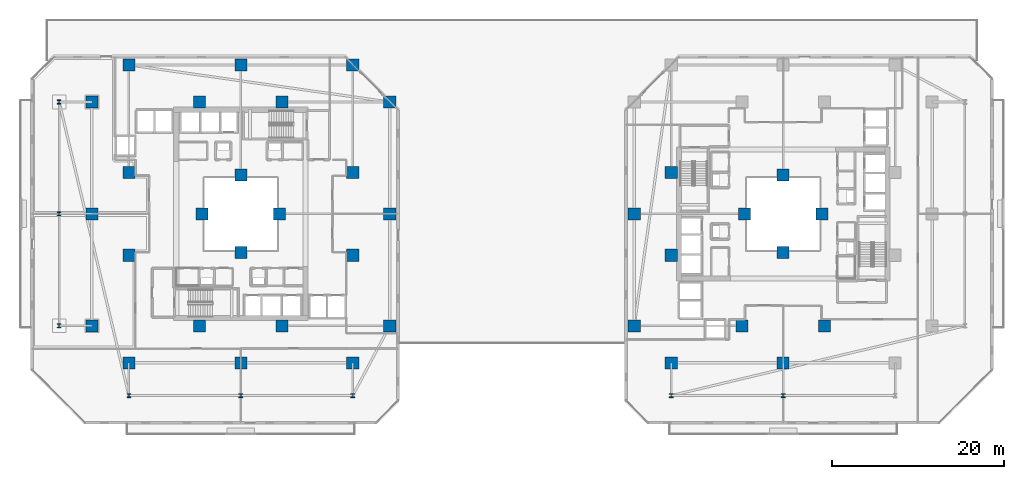
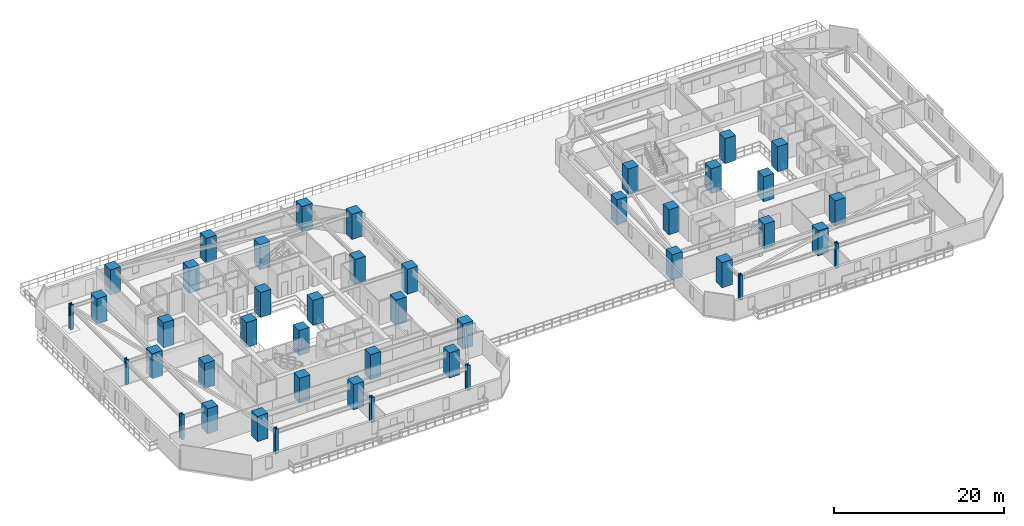
# One storey, part 1 of 34: 44 columns.
"""IFC4 building model written with IfcOpenShell, lengths in metres."""

from ifc_helpers import new_model, si_unit, direction, frame, origin, origin_2d, place, context, subcontext, project, spatial, rectangle, i_section, extrude, material, material_profile, profile_set, type_object, element, save


model = new_model("IFC4")

# Units and contexts
model_context = context("Model", 3, precision=1e-05, world=origin(), true_north=direction((0.0, 1.0)))
body_context = subcontext(model_context, "Body", "Model", "MODEL_VIEW")
ifc_project = project(units=[si_unit("LENGTHUNIT", "METRE"), si_unit("AREAUNIT", "SQUARE_METRE"), si_unit("VOLUMEUNIT", "CUBIC_METRE"), si_unit("PLANEANGLEUNIT", "RADIAN"), si_unit("MASSUNIT", "GRAM", prefix="KILO")], contexts=[model_context])

# Site, building, storey
site_placement = place(None, origin())
site = spatial("IfcSite", under=ifc_project, at=site_placement, CompositionType="ELEMENT")
building_placement = place(site_placement, origin())
building = spatial("IfcBuilding", under=site, at=building_placement, Name="Thornwick Lancets Civic Towers", CompositionType="ELEMENT")
storey_placement = place(building_placement, frame((0.0, 0.0, 27.89990234375)))
storey = spatial("IfcBuildingStorey", under=building, at=storey_placement, Name="L06", CompositionType="ELEMENT", Elevation=27.89990234375)

# Columns
ifc_material_1 = material(Name="Concrete C60/75", Category="concrete")
ifc_material_profile_1 = material_profile(ifc_material_1, rectangle(XDim=1.39990234375, YDim=1.39990234375, at=origin_2d()), Name="RC 1400x1400")
ifc_profile_set_1 = profile_set([ifc_material_profile_1], Name="Concrete C60/75")
column_type_1 = type_object("IfcColumnType", Name="COL_RC_1400", PredefinedType="COLUMN", material=ifc_profile_set_1)
for number, where, z_axis, x_axis, name in (
    (1, (12.5, 9.699951171875, 0.0), (0.0, 0.0, 1.0), (1.0, 0.0, 0.0), "L06 Spine Mega-Column A01"),
    (2, (25.5, 9.699951171875, 0.0), (0.0, 0.0, 1.0), (1.0, 0.0, 0.0), "L06 Spine Mega-Column A02"),
    (3, (38.5, 9.699951171875, 0.0), (0.0, 0.0, 1.0), (1.0, 0.0, 0.0), "L06 Spine Mega-Column A03"),
    (4, (42.800048828125, 14.0, 0.0), (0.0, 0.0, 1.0), (1.0, 0.0, 0.0), "L06 Spine Mega-Column A04"),
    (5, (42.800048828125, 27.0, 0.0), (0.0, 0.0, 1.0), (1.0, 0.0, 0.0), "L06 Spine Mega-Column A05"),
    (6, (42.800048828125, 40.0, 0.0), (0.0, 0.0, 1.0), (1.0, 0.0, 0.0), "L06 Spine Mega-Column A06"),
    (7, (12.5, 44.300048828125, 0.0), (0.0, 0.0, 1.0), (1.0, 0.0, 0.0), "L06 Spine Mega-Column A07"),
    (8, (25.5, 44.300048828125, 0.0), (0.0, 0.0, 1.0), (1.0, 0.0, 0.0), "L06 Spine Mega-Column A08"),
    (9, (38.5, 44.300048828125, 0.0), (0.0, 0.0, 1.0), (1.0, 0.0, 0.0), "L06 Spine Mega-Column A09"),
    (10, (8.199951171875, 14.0, 0.0), (0.0, 0.0, 1.0), (1.0, 0.0, 0.0), "L06 Spine Mega-Column A10"),
    (11, (8.199951171875, 27.0, 0.0), (0.0, 0.0, 1.0), (1.0, 0.0, 0.0), "L06 Spine Mega-Column A11"),
    (12, (8.199951171875, 40.0, 0.0), (0.0, 0.0, 1.0), (1.0, 0.0, 0.0), "L06 Spine Mega-Column A12"),
    (13, (12.5, 22.199951171875, 0.0), (0.0, 0.0, 1.0), (1.0, 0.0, 0.0), "L06 Spine Mega-Column A13"),
    (14, (38.5, 22.199951171875, 0.0), (0.0, 0.0, 1.0), (1.0, 0.0, 0.0), "L06 Spine Mega-Column A14"),
    (15, (12.5, 31.800048828125, 0.0), (0.0, 0.0, 1.0), (1.0, 0.0, 0.0), "L06 Spine Mega-Column A15"),
    (16, (38.5, 31.800048828125, 0.0), (0.0, 0.0, 1.0), (1.0, 0.0, 0.0), "L06 Spine Mega-Column A16"),
    (17, (20.699951171875, 14.0, 0.0), (0.0, 0.0, 1.0), (1.0, 0.0, 0.0), "L06 Spine Mega-Column A17"),
    (18, (30.300048828125, 14.0, 0.0), (0.0, 0.0, 1.0), (1.0, 0.0, 0.0), "L06 Spine Mega-Column A18"),
    (19, (20.699951171875, 40.0, 0.0), (0.0, 0.0, 1.0), (1.0, 0.0, 0.0), "L06 Spine Mega-Column A19"),
    (20, (30.300048828125, 40.0, 0.0), (0.0, 0.0, 1.0), (1.0, 0.0, 0.0), "L06 Spine Mega-Column A20"),
    (21, (25.5, 22.5, 0.0), (0.0, 0.0, 1.0), (1.0, 0.0, 0.0), "L06 Spine Mega-Column A21"),
    (22, (25.5, 31.5, 0.0), (0.0, 0.0, 1.0), (1.0, 0.0, 0.0), "L06 Spine Mega-Column A22"),
    (23, (21.0, 27.0, 0.0), (0.0, 0.0, 1.0), (1.0, 0.0, 0.0), "L06 Spine Mega-Column A23"),
    (24, (30.0, 27.0, 0.0), (0.0, 0.0, 1.0), (1.0, 0.0, 0.0), "L06 Spine Mega-Column A24"),
    (25, (71.199951171875, 14.0, 0.0), (0.0, 0.0, 1.0), (1.0, 0.0, 0.0), "L06 Spine Mega-Column B07"),
    (26, (71.199951171875, 27.0, 0.0), (0.0, 0.0, 1.0), (1.0, 0.0, 0.0), "L06 Spine Mega-Column B08"),
    (27, (88.5, 9.699951171875, 0.0), (0.0, 0.0, 1.0), (1.0, 0.0, 0.0), "L06 Spine Mega-Column B11"),
    (28, (75.5, 9.699951171875, 0.0), (0.0, 0.0, 1.0), (1.0, 0.0, 0.0), "L06 Spine Mega-Column B12"),
    (29, (93.300048828125, 14.0, 0.0), (0.0, 0.0, 1.0), (1.0, 0.0, 0.0), "L06 Spine Mega-Column B13"),
    (30, (83.699951171875, 14.0, 0.0), (0.0, 0.0, 1.0), (1.0, 0.0, 0.0), "L06 Spine Mega-Column B15"),
    (31, (75.5, 22.199951171875, 0.0), (0.0, 0.0, 1.0), (1.0, 0.0, 0.0), "L06 Spine Mega-Column B19"),
    (32, (75.5, 31.800048828125, 0.0), (0.0, 0.0, 1.0), (1.0, 0.0, 0.0), "L06 Spine Mega-Column B20"),
    (33, (93.0, 27.0, 0.0), (0.0, 0.0, 1.0), (1.0, 0.0, 0.0), "L06 Spine Mega-Column B21"),
    (34, (84.0, 27.0, 0.0), (0.0, 0.0, 1.0), (1.0, 0.0, 0.0), "L06 Spine Mega-Column B22"),
    (35, (88.5, 22.5, 0.0), (0.0, 0.0, 1.0), (1.0, 0.0, 0.0), "L06 Spine Mega-Column B23"),
    (36, (88.5, 31.5, 0.0), (0.0, 0.0, 1.0), (1.0, 0.0, 0.0), "L06 Spine Mega-Column B24"),
):
    element("IfcColumn", number, at=place(storey_placement, frame(where, z_axis=z_axis, x_axis=x_axis)), inside=storey, type_object=column_type_1, Name=name, PredefinedType="COLUMN", context=body_context, shape_type="SweptSolid", body=[
        extrude(rectangle(XDim=1.39990234375, YDim=1.39990234375, at=origin_2d()), origin(), (0.0, 0.0, 1.0), 3.60009765625),
    ])
ifc_material_2 = material(Name="Steel S460M", Category="steel")
ifc_material_profile_2 = material_profile(ifc_material_2, i_section(OverallWidth=0.424072265625, OverallDepth=0.474609375, WebThickness=0.047607421875, FlangeThickness=0.076904296875, FilletRadius=0.01513671875, at=origin_2d()), Name="UKC 356x406x634")
ifc_profile_set_2 = profile_set([ifc_material_profile_2], Name="Steel S460M")
column_type_2 = type_object("IfcColumnType", Name="COL_UKC_634", PredefinedType="COLUMN", material=ifc_profile_set_2)
for number, where, z_axis, x_axis, name in (
    (37, (12.5, 5.89990234375, 0.0), (0.0, 0.0, 1.0), (1.0, 0.0, 0.0), "L06 Block Perimeter Column A01"),
    (38, (25.5, 5.89990234375, 0.0), (0.0, 0.0, 1.0), (1.0, 0.0, 0.0), "L06 Block Perimeter Column A02"),
    (39, (38.5, 5.89990234375, 0.0), (0.0, 0.0, 1.0), (1.0, 0.0, 0.0), "L06 Block Perimeter Column A03"),
    (40, (4.39990234375, 14.0, 0.0), (0.0, 0.0, 1.0), (1.0, 0.0, 0.0), "L06 Block Perimeter Column A10"),
    (41, (4.39990234375, 27.0, 0.0), (0.0, 0.0, 1.0), (1.0, 0.0, 0.0), "L06 Block Perimeter Column A11"),
    (42, (4.39990234375, 40.0, 0.0), (0.0, 0.0, 1.0), (1.0, 0.0, 0.0), "L06 Block Perimeter Column A12"),
    (43, (88.5, 5.89990234375, 0.0), (0.0, 0.0, 1.0), (1.0, 0.0, 0.0), "L06 Block Perimeter Column B11"),
    (44, (75.5, 5.89990234375, 0.0), (0.0, 0.0, 1.0), (1.0, 0.0, 0.0), "L06 Block Perimeter Column B12"),
):
    element("IfcColumn", number, at=place(storey_placement, frame(where, z_axis=z_axis, x_axis=x_axis)), inside=storey, type_object=column_type_2, Name=name, PredefinedType="COLUMN", context=body_context, shape_type="SweptSolid", body=[
        extrude(i_section(OverallWidth=0.424072265625, OverallDepth=0.474609375, WebThickness=0.047607421875, FlangeThickness=0.076904296875, FilletRadius=0.01513671875, at=origin_2d()), origin(), (0.0, 0.0, 1.0), 3.60009765625),
    ])

save(model, "model.ifc")
